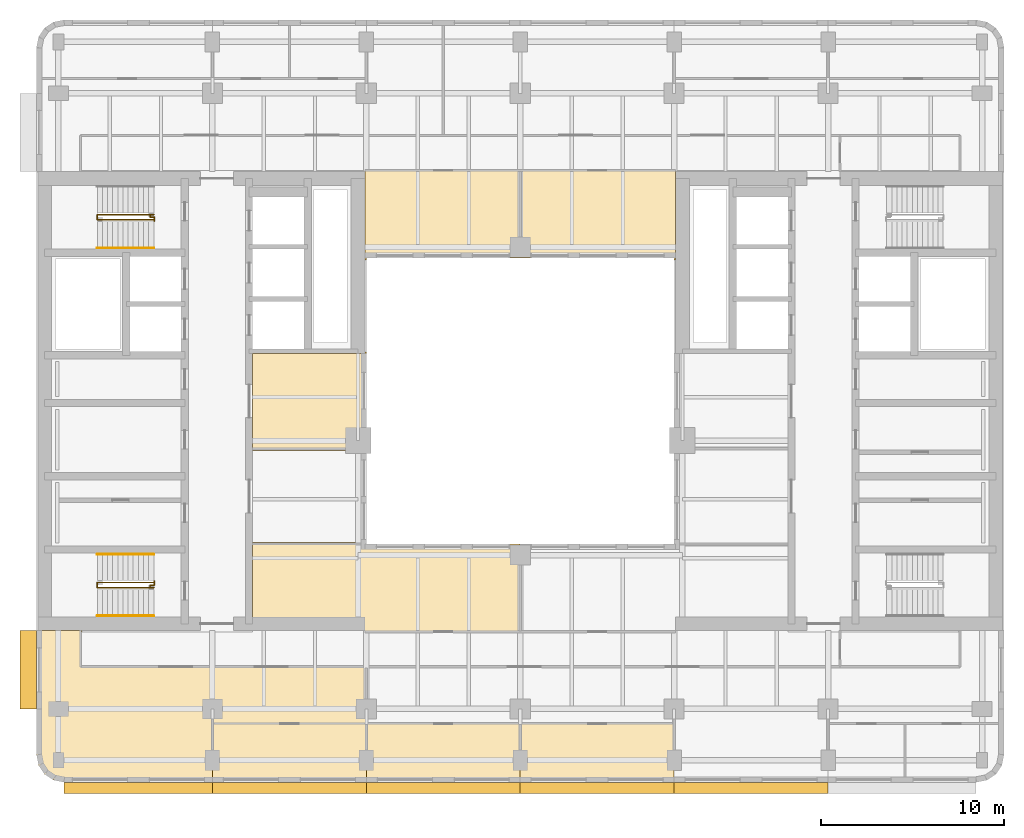
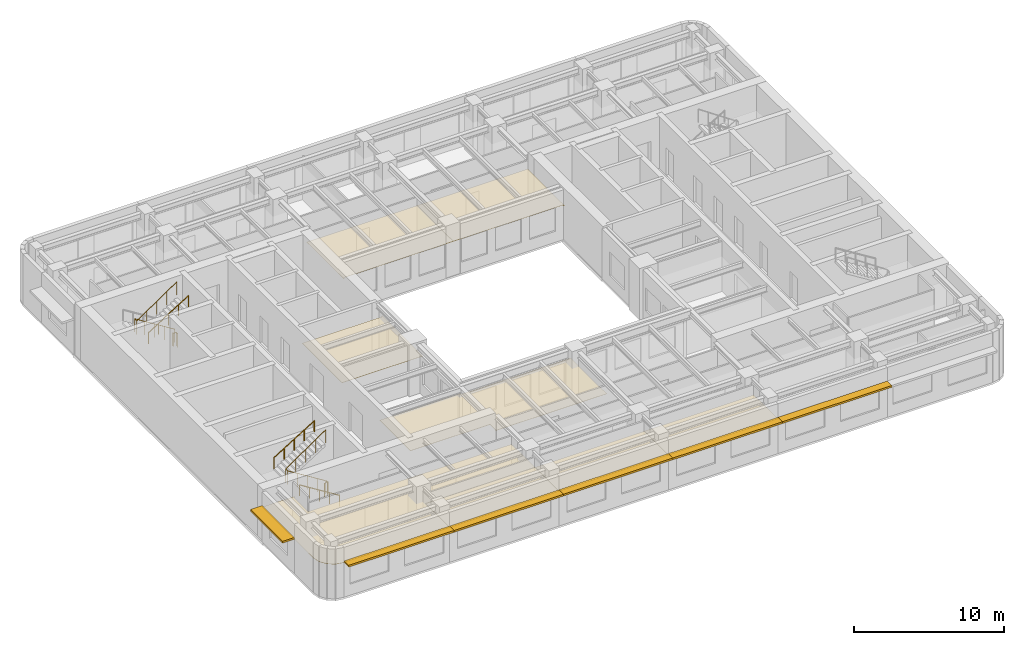
# One storey, part 9 of 11: 8 coverings, 7 railings, 6 shading devices.
"""IFC4 building model written with IfcOpenShell, lengths in metres."""

from ifc_helpers import new_model, si_unit, direction, frame, origin, origin_2d, place, context, subcontext, project, spatial, polyline, rectangle, circle, outline, extrude, material, layer, layer_set, type_object, element, save


model = new_model("IFC4")

# Units and contexts
model_context = context("Model", 3, precision=1e-05, world=origin(), true_north=direction((0.0, 1.0)))
body_context = subcontext(model_context, "Body", "Model", "MODEL_VIEW")
ifc_project = project(units=[si_unit("LENGTHUNIT", "METRE"), si_unit("AREAUNIT", "SQUARE_METRE"), si_unit("VOLUMEUNIT", "CUBIC_METRE"), si_unit("PLANEANGLEUNIT", "RADIAN"), si_unit("MASSUNIT", "GRAM", prefix="KILO")], contexts=[model_context])

# Site, building, storey
site_placement = place(None, origin())
site = spatial("IfcSite", under=ifc_project, at=site_placement, CompositionType="ELEMENT")
building_placement = place(site_placement, origin())
building = spatial("IfcBuilding", under=site, at=building_placement, Name="Claustro Exchange Tower", CompositionType="ELEMENT")
storey_placement = place(building_placement, frame((0.0, 0.0, 211.199951171875)))
storey = spatial("IfcBuildingStorey", under=building, at=storey_placement, Name="L48", CompositionType="ELEMENT", Elevation=211.199951171875)

# Coverings
ifc_material_1 = material(Name="Perforated metal ceiling tiles", Category="steel")
ifc_layer_1 = layer(ifc_material_1, 0.030029296875)
ifc_layer_set_1 = layer_set([ifc_layer_1], Name="Perforated metal ceiling tiles")
covering_type_1 = type_object("IfcCoveringType", Name="CL1 suspended metal ceiling", PredefinedType="CEILING", material=ifc_layer_set_1)
covering_1_placement = place(storey_placement, frame((0.0, 0.0, 2.800048828125)))
element("IfcCovering", 1, at=covering_1_placement, inside=storey, type_object=covering_type_1, Name="Ceiling CL1 L48-06", PredefinedType="CEILING", context=body_context, shape_type="SweptSolid", body=[
    extrude(outline(polyline([(-1.199951171875, 12.695068359375), (-1.199951171875, 5.89990234375), (-1.085693359375, 5.325927734375), (-0.7607421875, 4.83935546875), (-0.27392578125, 4.51416015625), (0.300048828125, 4.39990234375), (8.39990234375, 4.39990234375), (8.39990234375, 7.60009765625), (16.800048828125, 7.60009765625), (16.800048828125, 10.699951171875), (1.199951171875, 10.699951171875), (1.199951171875, 12.60009765625), (1.294921875, 12.60009765625), (1.294921875, 12.675048828125), (-1.125, 12.675048828125), (-1.125, 12.695068359375), (-1.199951171875, 12.695068359375)])), origin(), (0.0, 0.0, 1.0), 0.030029296875),
])
ifc_material_2 = material(Name="Gypsum board ceiling", Category="gypsum board")
ifc_layer_2 = layer(ifc_material_2, 0.02490234375)
ifc_layer_set_2 = layer_set([ifc_layer_2], Name="Gypsum board ceiling")
covering_type_2 = type_object("IfcCoveringType", Name="CL2 plasterboard ceiling", PredefinedType="CEILING", material=ifc_layer_set_2)
covering_2_placement = place(storey_placement, frame((0.0, 0.0, 2.800048828125)))
element("IfcCovering", 2, at=covering_2_placement, inside=storey, type_object=covering_type_2, Name="Ceiling CL2 L48-01", PredefinedType="CEILING", context=body_context, shape_type="SweptSolid", body=[
    extrude(outline(polyline([(8.39990234375, 4.39990234375), (16.800048828125, 4.39990234375), (16.800048828125, 7.60009765625), (8.39990234375, 7.60009765625), (8.39990234375, 4.39990234375)])), origin(), (0.0, 0.0, 1.0), 0.02490234375),
])
covering_3_placement = place(storey_placement, frame((0.0, 0.0, 2.800048828125)))
element("IfcCovering", 3, at=covering_3_placement, inside=storey, type_object=covering_type_2, Name="Ceiling CL2 L48-02", PredefinedType="CEILING", context=body_context, shape_type="SweptSolid", body=[
    extrude(outline(polyline([(16.800048828125, 4.39990234375), (25.199951171875, 4.39990234375), (25.199951171875, 7.60009765625), (16.800048828125, 7.60009765625), (16.800048828125, 4.39990234375)])), origin(), (0.0, 0.0, 1.0), 0.02490234375),
])
covering_4_placement = place(storey_placement, frame((0.0, 0.0, 2.800048828125)))
element("IfcCovering", 4, at=covering_4_placement, inside=storey, type_object=covering_type_2, Name="Ceiling CL2 L48-03", PredefinedType="CEILING", context=body_context, shape_type="SweptSolid", body=[
    extrude(outline(polyline([(25.199951171875, 4.39990234375), (33.60009765625, 4.39990234375), (33.60009765625, 7.60009765625), (25.199951171875, 7.60009765625), (25.199951171875, 4.39990234375)])), origin(), (0.0, 0.0, 1.0), 0.02490234375),
])
covering_5_placement = place(storey_placement, frame((0.0, 0.0, 2.800048828125)))
element("IfcCovering", 5, at=covering_5_placement, inside=storey, type_object=covering_type_2, Name="Ceiling CL2 L48-10", PredefinedType="CEILING", context=body_context, shape_type="SweptSolid", body=[
    extrude(outline(polyline([(25.199951171875, 17.39990234375), (16.800048828125, 17.39990234375), (16.800048828125, 17.4951171875), (10.60009765625, 17.4951171875), (10.60009765625, 13.405029296875), (16.705078125, 13.405029296875), (16.705078125, 12.60009765625), (25.199951171875, 12.60009765625), (25.199951171875, 17.39990234375)])), origin(), (0.0, 0.0, 1.0), 0.02490234375),
])
covering_6_placement = place(storey_placement, frame((0.0, 0.0, 2.800048828125)))
element("IfcCovering", 6, at=covering_6_placement, inside=storey, type_object=covering_type_2, Name="Ceiling CL2 L48-14", PredefinedType="CEILING", context=body_context, shape_type="SweptSolid", body=[
    extrude(outline(polyline([(10.60009765625, 27.800048828125), (10.60009765625, 22.5048828125), (16.800048828125, 22.5048828125), (16.800048828125, 27.89501953125), (16.72509765625, 27.89501953125), (16.72509765625, 27.800048828125), (10.60009765625, 27.800048828125)])), origin(), (0.0, 0.0, 1.0), 0.02490234375),
])
covering_7_placement = place(storey_placement, frame((0.0, 0.0, 2.800048828125)))
element("IfcCovering", 7, at=covering_7_placement, inside=storey, type_object=covering_type_2, Name="Ceiling CL2 L48-16", PredefinedType="CEILING", context=body_context, shape_type="SweptSolid", body=[
    extrude(outline(polyline([(25.199951171875, 37.800048828125), (16.705078125, 37.800048828125), (16.705078125, 37.72509765625), (16.72509765625, 37.72509765625), (16.72509765625, 32.905029296875), (16.800048828125, 32.905029296875), (16.800048828125, 33.0), (25.199951171875, 33.0), (25.199951171875, 37.800048828125)])), origin(), (0.0, 0.0, 1.0), 0.02490234375),
])
covering_8_placement = place(storey_placement, frame((0.0, 0.0, 2.800048828125)))
element("IfcCovering", 8, at=covering_8_placement, inside=storey, type_object=covering_type_2, Name="Ceiling CL2 L48-17", PredefinedType="CEILING", context=body_context, shape_type="SweptSolid", body=[
    extrude(outline(polyline([(33.60009765625, 33.0), (33.60009765625, 32.905029296875), (33.675048828125, 32.905029296875), (33.675048828125, 37.72509765625), (33.695068359375, 37.72509765625), (33.695068359375, 37.800048828125), (25.199951171875, 37.800048828125), (25.199951171875, 33.0), (33.60009765625, 33.0)])), origin(), (0.0, 0.0, 1.0), 0.02490234375),
])

# Railings
ifc_material_3 = material(Name="Steel balustrade, painted", Category="steel")
railing_type_1 = type_object("IfcRailingType", Name="GR2 1100 steel stair guard", PredefinedType="GUARDRAIL", material=ifc_material_3)
railing_1_placement = place(storey_placement, frame((5.199951171875, 15.02490234375, 0.175048828125)))
element("IfcRailing", 9, at=railing_1_placement, inside=storey, type_object=railing_type_1, Name="Stair well guard GR2 stair STWA L48", PredefinedType="GUARDRAIL", context=body_context, shape_type="SweptSolid", body=[
    extrude(circle(Radius=0.02392578125, at=origin_2d()), frame((0.0, 0.0, 1.076171875), z_axis=(-0.847979421464, 0.0, 0.530029150871), x_axis=(0.0, -1.0, 0.0)), (0.0, 0.0, 1.0), 3.632080078125),
    extrude(circle(Radius=0.02392578125, at=origin_2d()), frame((-3.079833984375, 0.0, 3.0009765625), z_axis=(0.0, 1.0, 0.0), x_axis=(-1.0, 0.0, 0.0)), (0.0, 0.0, 1.0), 0.275146484375),
    extrude(circle(Radius=0.02392578125, at=origin_2d()), frame((-3.079833984375, 0.275146484375, 3.0009765625), z_axis=(0.826231499792, 0.0, 0.563330727682), x_axis=(0.0, 1.0, 0.0)), (0.0, 0.0, 1.0), 3.7275390625),
    extrude(circle(Radius=0.02099609375, at=origin_2d()), origin(), (0.0, 0.0, 1.0), 1.052001953125),
    extrude(circle(Radius=0.02099609375, at=origin_2d()), frame((-0.77001953125, 0.0, 0.481201171875)), (0.0, 0.0, 1.0), 1.052001953125),
    extrude(circle(Radius=0.02099609375, at=origin_2d()), frame((-1.5400390625, 0.0, 0.96240234375)), (0.0, 0.0, 1.0), 1.052001953125),
    extrude(circle(Radius=0.02099609375, at=origin_2d()), frame((-2.309814453125, 0.0, 1.44384765625)), (0.0, 0.0, 1.0), 1.052001953125),
    extrude(circle(Radius=0.02099609375, at=origin_2d()), frame((-3.079833984375, 0.0, 1.925048828125)), (0.0, 0.0, 1.0), 1.052001953125),
    extrude(circle(Radius=0.02099609375, at=origin_2d()), frame((-3.079833984375, 0.275146484375, 1.925048828125)), (0.0, 0.0, 1.0), 1.052001953125),
    extrude(circle(Radius=0.02099609375, at=origin_2d()), frame((-2.309814453125, 0.275146484375, 2.449951171875)), (0.0, 0.0, 1.0), 1.052001953125),
    extrude(circle(Radius=0.02099609375, at=origin_2d()), frame((-1.5400390625, 0.275146484375, 2.97509765625)), (0.0, 0.0, 1.0), 1.052001953125),
    extrude(circle(Radius=0.02099609375, at=origin_2d()), frame((-0.77001953125, 0.275146484375, 3.5)), (0.0, 0.0, 1.0), 1.052001953125),
    extrude(circle(Radius=0.02099609375, at=origin_2d()), frame((0.0, 0.275146484375, 4.02490234375)), (0.0, 0.0, 1.0), 1.052001953125),
])
railing_2_placement = place(storey_placement, frame((5.0, 15.094970703125, 0.0)))
element("IfcRailing", 10, at=railing_2_placement, inside=storey, type_object=railing_type_1, Name="Stair guard GR2 STWA L48", PredefinedType="GUARDRAIL", context=body_context, shape_type="SweptSolid", body=[
    extrude(circle(Radius=0.02392578125, at=origin_2d()), frame((0.0, 0.0, 1.076171875), z_axis=(0.0, 1.0, 0.0), x_axis=(-1.0, 0.0, 0.0)), (0.0, 0.0, 1.0), 0.067626953125),
    extrude(circle(Radius=0.02392578125, at=origin_2d()), frame((0.0, 0.067626953125, 1.076171875), z_axis=(1.0, 0.0, 0.0), x_axis=(0.0, 1.0, 0.0)), (0.0, 0.0, 1.0), 0.22509765625),
    extrude(circle(Radius=0.02392578125, at=origin_2d()), frame((0.22509765625, 0.067626953125, 1.076171875), z_axis=(0.0, 1.0, 0.0), x_axis=(-1.0, 0.0, 0.0)), (0.0, 0.0, 1.0), 0.21728515625),
    extrude(circle(Radius=0.02099609375, at=origin_2d()), origin(), (0.0, 0.0, 1.0), 1.052001953125),
    extrude(circle(Radius=0.02099609375, at=origin_2d()), frame((0.0, 0.067626953125, 0.0)), (0.0, 0.0, 1.0), 1.052001953125),
    extrude(circle(Radius=0.02099609375, at=origin_2d()), frame((0.22509765625, 0.067626953125, 0.0)), (0.0, 0.0, 1.0), 1.052001953125),
    extrude(circle(Radius=0.02099609375, at=origin_2d()), frame((0.22509765625, 0.284912109375, 0.0)), (0.0, 0.0, 1.0), 1.052001953125),
])
railing_3_placement = place(storey_placement, frame((5.199951171875, 35.375, 0.175048828125)))
element("IfcRailing", 11, at=railing_3_placement, inside=storey, type_object=railing_type_1, Name="Stair well guard GR2 stair STWB L48", PredefinedType="GUARDRAIL", context=body_context, shape_type="SweptSolid", body=[
    extrude(circle(Radius=0.02392578125, at=origin_2d()), frame((0.0, 0.0, 1.076171875), z_axis=(-0.847979421464, 0.0, 0.530029150871), x_axis=(0.0, -1.0, 0.0)), (0.0, 0.0, 1.0), 3.632080078125),
    extrude(circle(Radius=0.02392578125, at=origin_2d()), frame((-3.079833984375, 0.0, 3.0009765625), z_axis=(0.0, -1.0, 0.0), x_axis=(1.0, 0.0, 0.0)), (0.0, 0.0, 1.0), 0.27490234375),
    extrude(circle(Radius=0.02392578125, at=origin_2d()), frame((-3.079833984375, -0.27490234375, 3.0009765625), z_axis=(0.826231499792, 0.0, 0.563330727682), x_axis=(0.0, 1.0, 0.0)), (0.0, 0.0, 1.0), 3.7275390625),
    extrude(circle(Radius=0.02099609375, at=origin_2d()), origin(), (0.0, 0.0, 1.0), 1.052001953125),
    extrude(circle(Radius=0.02099609375, at=origin_2d()), frame((-0.77001953125, 0.0, 0.481201171875)), (0.0, 0.0, 1.0), 1.052001953125),
    extrude(circle(Radius=0.02099609375, at=origin_2d()), frame((-1.5400390625, 0.0, 0.96240234375)), (0.0, 0.0, 1.0), 1.052001953125),
    extrude(circle(Radius=0.02099609375, at=origin_2d()), frame((-2.309814453125, 0.0, 1.44384765625)), (0.0, 0.0, 1.0), 1.052001953125),
    extrude(circle(Radius=0.02099609375, at=origin_2d()), frame((-3.079833984375, 0.0, 1.925048828125)), (0.0, 0.0, 1.0), 1.052001953125),
    extrude(circle(Radius=0.02099609375, at=origin_2d()), frame((-3.079833984375, -0.27490234375, 1.925048828125)), (0.0, 0.0, 1.0), 1.052001953125),
    extrude(circle(Radius=0.02099609375, at=origin_2d()), frame((-2.309814453125, -0.27490234375, 2.449951171875)), (0.0, 0.0, 1.0), 1.052001953125),
    extrude(circle(Radius=0.02099609375, at=origin_2d()), frame((-1.5400390625, -0.27490234375, 2.97509765625)), (0.0, 0.0, 1.0), 1.052001953125),
    extrude(circle(Radius=0.02099609375, at=origin_2d()), frame((-0.77001953125, -0.27490234375, 3.5)), (0.0, 0.0, 1.0), 1.052001953125),
    extrude(circle(Radius=0.02099609375, at=origin_2d()), frame((0.0, -0.27490234375, 4.02490234375)), (0.0, 0.0, 1.0), 1.052001953125),
])
railing_4_placement = place(storey_placement, frame((5.0, 35.304931640625, 0.0)))
element("IfcRailing", 12, at=railing_4_placement, inside=storey, type_object=railing_type_1, Name="Stair guard GR2 STWB L48", PredefinedType="GUARDRAIL", context=body_context, shape_type="SweptSolid", body=[
    extrude(circle(Radius=0.02392578125, at=origin_2d()), frame((0.0, 0.0, 1.076171875), z_axis=(0.0, -1.0, 0.0), x_axis=(1.0, 0.0, 0.0)), (0.0, 0.0, 1.0), 0.0673828125),
    extrude(circle(Radius=0.02392578125, at=origin_2d()), frame((0.0, -0.0673828125, 1.076171875), z_axis=(1.0, 0.0, 0.0), x_axis=(0.0, 1.0, 0.0)), (0.0, 0.0, 1.0), 0.22509765625),
    extrude(circle(Radius=0.02392578125, at=origin_2d()), frame((0.22509765625, -0.0673828125, 1.076171875), z_axis=(0.0, -1.0, 0.0), x_axis=(1.0, 0.0, 0.0)), (0.0, 0.0, 1.0), 0.217529296875),
    extrude(circle(Radius=0.02099609375, at=origin_2d()), origin(), (0.0, 0.0, 1.0), 1.052001953125),
    extrude(circle(Radius=0.02099609375, at=origin_2d()), frame((0.0, -0.0673828125, 0.0)), (0.0, 0.0, 1.0), 1.052001953125),
    extrude(circle(Radius=0.02099609375, at=origin_2d()), frame((0.22509765625, -0.0673828125, 0.0)), (0.0, 0.0, 1.0), 1.052001953125),
    extrude(circle(Radius=0.02099609375, at=origin_2d()), frame((0.22509765625, -0.284912109375, 0.0)), (0.0, 0.0, 1.0), 1.052001953125),
])
ifc_material_4 = material(Name="Stainless steel tube", Category="steel")
railing_type_2 = type_object("IfcRailingType", Name="HR1 900 stair handrail", PredefinedType="HANDRAIL", material=ifc_material_4)
railing_5_placement = place(storey_placement, frame((5.199951171875, 13.485107421875, 0.175048828125)))
element("IfcRailing", 13, at=railing_5_placement, inside=storey, type_object=railing_type_2, Name="Handrail HR1 stair STWA L48", PredefinedType="HANDRAIL", context=body_context, shape_type="SweptSolid", body=[
    extrude(circle(Radius=0.02392578125, at=origin_2d()), frame((0.0, 0.0, 0.8759765625), z_axis=(-0.847979421464, 0.0, 0.530029150871), x_axis=(0.0, -1.0, 0.0)), (0.0, 0.0, 1.0), 3.632080078125),
    extrude(circle(Radius=0.02099609375, at=origin_2d()), origin(), (0.0, 0.0, 1.0), 0.851806640625),
    extrude(circle(Radius=0.02099609375, at=origin_2d()), frame((-0.77001953125, 0.0, 0.481201171875)), (0.0, 0.0, 1.0), 0.851806640625),
    extrude(circle(Radius=0.02099609375, at=origin_2d()), frame((-1.5400390625, 0.0, 0.96240234375)), (0.0, 0.0, 1.0), 0.851806640625),
    extrude(circle(Radius=0.02099609375, at=origin_2d()), frame((-2.309814453125, 0.0, 1.44384765625)), (0.0, 0.0, 1.0), 0.851806640625),
    extrude(circle(Radius=0.02099609375, at=origin_2d()), frame((-3.079833984375, 0.0, 1.925048828125)), (0.0, 0.0, 1.0), 0.851806640625),
])
for number, where, name in (
    (14, (2.1201171875, 16.840087890625, 2.275146484375), "Handrail HR1 stair STWA L48"),
    (15, (2.1201171875, 33.56005859375, 2.275146484375), "Handrail HR1 stair STWB L48"),
):
    element("IfcRailing", number, at=place(storey_placement, frame(where)), inside=storey, type_object=railing_type_2, Name=name, PredefinedType="HANDRAIL", context=body_context, shape_type="SweptSolid", body=[
        extrude(circle(Radius=0.02392578125, at=origin_2d()), frame((0.0, 0.0, 0.8759765625), z_axis=(0.848009633417, 0.0, 0.529980812513), x_axis=(0.0, 1.0, 0.0)), (0.0, 0.0, 1.0), 3.6318359375),
        extrude(circle(Radius=0.02099609375, at=origin_2d()), origin(), (0.0, 0.0, 1.0), 0.851806640625),
        extrude(circle(Radius=0.02099609375, at=origin_2d()), frame((0.77001953125, 0.0, 0.481201171875)), (0.0, 0.0, 1.0), 0.851806640625),
        extrude(circle(Radius=0.02099609375, at=origin_2d()), frame((1.5400390625, 0.0, 0.96240234375)), (0.0, 0.0, 1.0), 0.851806640625),
        extrude(circle(Radius=0.02099609375, at=origin_2d()), frame((2.309814453125, 0.0, 1.443603515625)), (0.0, 0.0, 1.0), 0.851806640625),
        extrude(circle(Radius=0.02099609375, at=origin_2d()), frame((3.079833984375, 0.0, 1.9248046875)), (0.0, 0.0, 1.0), 0.851806640625),
    ])

# Shading devices
ifc_material_5 = material(Name="Concrete HA-40 (C40/50), precast, white cement, acid-etched", Category="concrete")
ifc_layer_3 = layer(ifc_material_5, 0.14990234375)
ifc_layer_set_3 = layer_set([ifc_layer_3], Name="Concrete HA-40 (C40/50), precast, white cement, acid-etched")
shading_device_type_1 = type_object("IfcShadingDeviceType", Name="SS1 600 precast concrete SUNSHADE", PredefinedType="SHUTTER", material=ifc_layer_set_3)
for number, where, z_axis, x_axis, name in (
    (16, (37.800048828125, 4.10009765625, 2.800048828125), (0.0, 0.0, 1.0), (-1.0, 0.0, 0.0), "Precast SUNSHADE SS1 L48"),
    (17, (29.39990234375, 4.10009765625, 2.800048828125), (0.0, 0.0, 1.0), (-1.0, 0.0, 0.0), "Precast SUNSHADE SS1 L48"),
    (18, (21.0, 4.10009765625, 2.800048828125), (0.0, 0.0, 1.0), (-1.0, 0.0, 0.0), "Precast SUNSHADE SS1 L48"),
    (19, (12.60009765625, 4.10009765625, 2.800048828125), (0.0, 0.0, 1.0), (-1.0, 0.0, 0.0), "Precast SUNSHADE SS1 L48"),
):
    element("IfcShadingDevice", number, at=place(storey_placement, frame(where, z_axis=z_axis, x_axis=x_axis)), inside=storey, type_object=shading_device_type_1, Name=name, PredefinedType="SHUTTER", context=body_context, shape_type="SweptSolid", body=[
        extrude(rectangle(XDim=8.39990234375, YDim=0.60009765625, at=origin_2d()), origin(), (0.0, 0.0, 1.0), 0.14990234375),
    ])
shading_device_1_placement = place(storey_placement, frame((4.357421875, 4.10009765625, 2.800048828125), z_axis=(0.0, 0.0, 1.0), x_axis=(-1.0, 0.0, 0.0)))
element("IfcShadingDevice", 20, at=shading_device_1_placement, inside=storey, type_object=shading_device_type_1, Name="Precast SUNSHADE SS1 L48", PredefinedType="SHUTTER", context=body_context, shape_type="SweptSolid", body=[
    extrude(rectangle(XDim=8.085205078125, YDim=0.60009765625, at=origin_2d()), origin(), (0.0, 0.0, 1.0), 0.14990234375),
])
ifc_material_6 = material(Name="Concrete HA-40 (C40/50), precast, white cement, acid-etched", Category="concrete")
ifc_layer_4 = layer(ifc_material_6, 0.14990234375)
ifc_layer_set_4 = layer_set([ifc_layer_4], Name="Concrete HA-40 (C40/50), precast, white cement, acid-etched")
shading_device_type_2 = type_object("IfcShadingDeviceType", Name="SS2 900 precast concrete SUNSHADE", PredefinedType="SHUTTER", material=ifc_layer_set_4)
shading_device_2_placement = place(storey_placement, frame((-1.64990234375, 10.53759765625, 2.800048828125), z_axis=(0.0, 0.0, 1.0), x_axis=(0.0, 1.0, 0.0)))
element("IfcShadingDevice", 21, at=shading_device_2_placement, inside=storey, type_object=shading_device_type_2, Name="Precast SUNSHADE SS2 L48", PredefinedType="SHUTTER", context=body_context, shape_type="SweptSolid", body=[
    extrude(rectangle(XDim=4.27490234375, YDim=0.89990234375, at=origin_2d()), origin(), (0.0, 0.0, 1.0), 0.14990234375),
])

save(model, "model.ifc")
